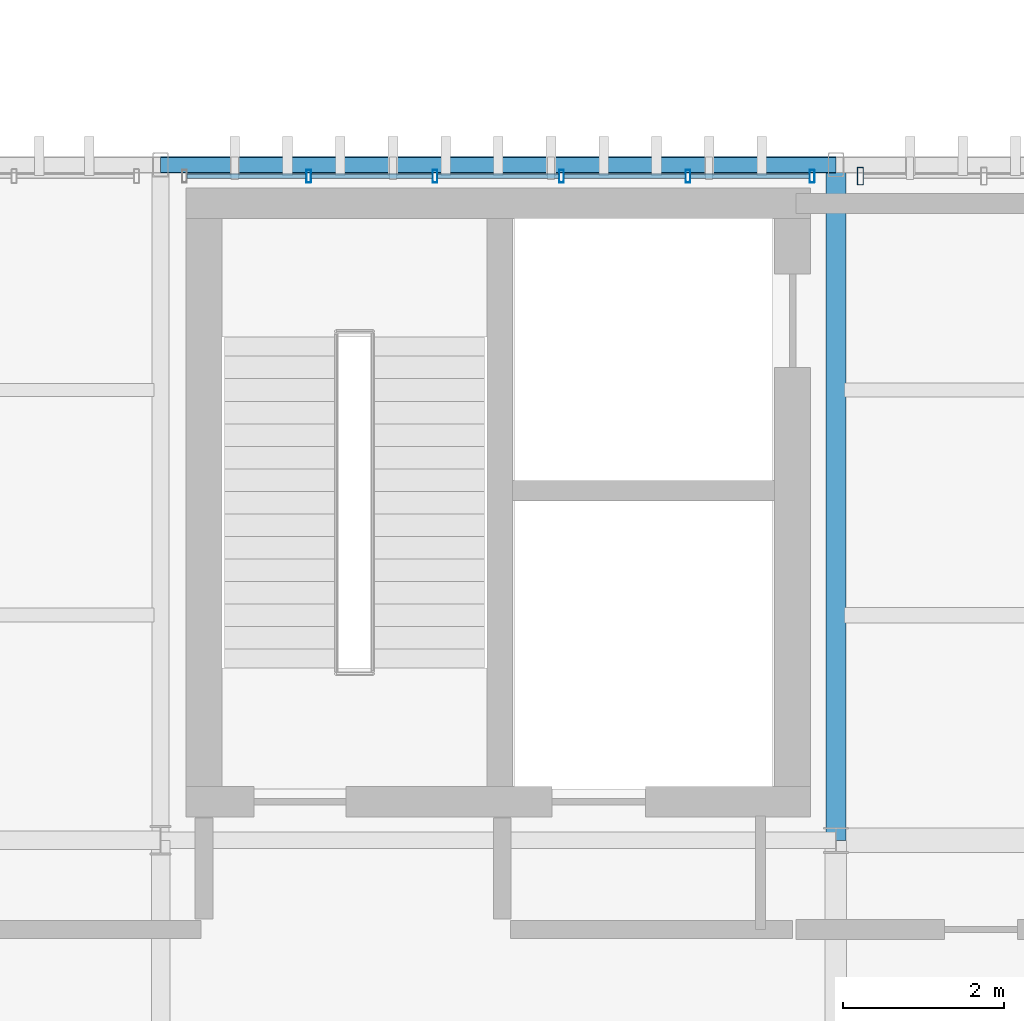
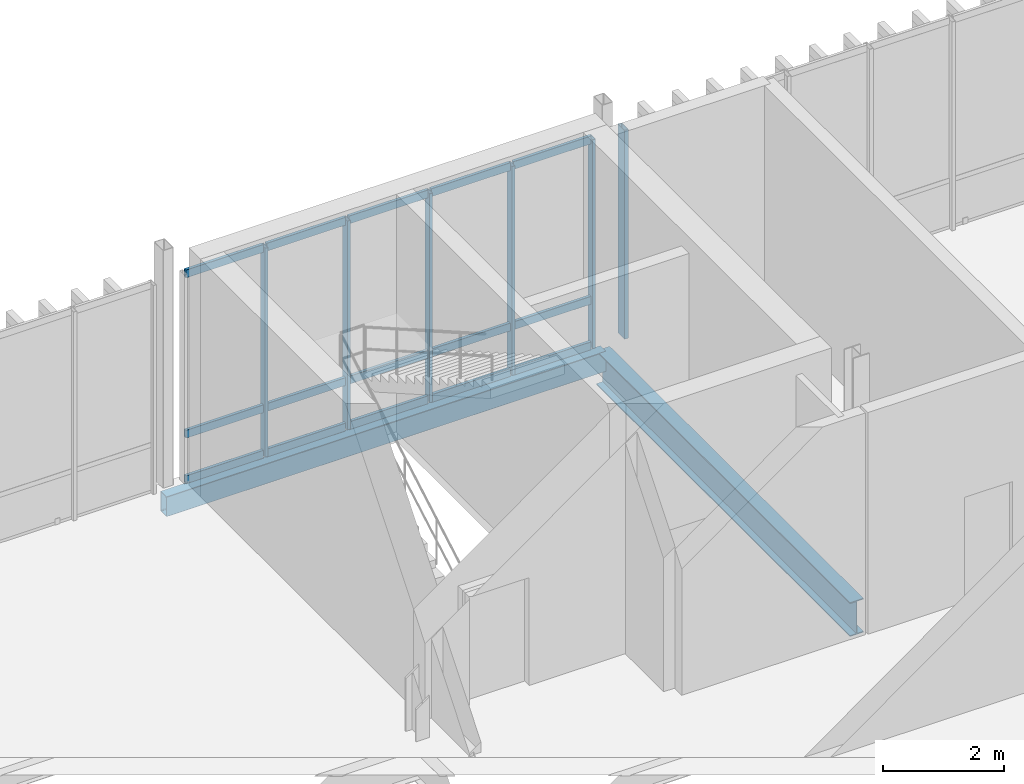
# One storey, part 23 of 94: 21 members, 2 beams, 2 elements without a shape of their own.
"""IFC4 building model written with IfcOpenShell, lengths in metres."""

from ifc_helpers import new_model, si_unit, direction, frame, origin_with_axes, origin_2d_with_axis, place, context, subcontext, project, spatial, hollow_rectangle, i_section, extrude, material, material_profile, profile_set, type_object, element, aggregate, save


model = new_model("IFC4")

# Units and contexts
model_context = context("Model", 3, precision=1e-05, world=origin_with_axes(), true_north=direction((0.0, 1.0)))
body_context = subcontext(model_context, "Body", "Model", "MODEL_VIEW")
ifc_project = project(units=[si_unit("LENGTHUNIT", "METRE"), si_unit("AREAUNIT", "SQUARE_METRE"), si_unit("VOLUMEUNIT", "CUBIC_METRE"), si_unit("PLANEANGLEUNIT", "RADIAN"), si_unit("MASSUNIT", "GRAM", prefix="KILO"), si_unit("THERMODYNAMICTEMPERATUREUNIT", "KELVIN")], contexts=[model_context])

# Site, building, storey
site_placement = place(None, origin_with_axes())
site = spatial("IfcSite", under=ifc_project, at=site_placement, CompositionType="ELEMENT")
building_placement = place(site_placement, origin_with_axes())
building = spatial("IfcBuilding", under=site, at=building_placement, Name="Montbau Bow Law Courts", CompositionType="ELEMENT")
storey_placement = place(building_placement, frame((0.0, 0.0, 15.6), z_axis=(0.0, 0.0, 1.0), x_axis=(1.0, 0.0, 0.0)))
storey = spatial("IfcBuildingStorey", under=building, at=storey_placement, Name="L03", CompositionType="ELEMENT", Elevation=15.6)

# Beams
ifc_material_1 = material(Name="Steel CSA G40.21 Grade 350W (350 MPa)", Category="steel")
ifc_material_profile_1 = material_profile(ifc_material_1, i_section(OverallWidth=0.254, OverallDepth=0.688, WebThickness=0.0131, FlangeThickness=0.0211, at=origin_2d_with_axis()), Name="W690X152", Category="Main", Priority=0)
ifc_profile_set_1 = profile_set([ifc_material_profile_1], Name="Steel CSA G40.21 Grade 350W (350 MPa)")
beam_type_1 = type_object("IfcBeamType", Name="B-FLR-04", PredefinedType="BEAM", material=ifc_profile_set_1)
beam_1_placement = place(None, frame((22.2, 46.2, 15.016), z_axis=(0.0, 1.0, 0.0), x_axis=(-1.0, 0.0, 0.0)))
element("IfcBeam", 1, at=beam_1_placement, inside=storey, type_object=beam_type_1, Name="BM-L03-S0608:bm2_0611", PredefinedType="BEAM", context=body_context, shape_type="SweptSolid", body=[
    extrude(i_section(OverallWidth=0.254, OverallDepth=0.688, WebThickness=0.0131, FlangeThickness=0.0211, at=origin_2d_with_axis()), origin_with_axes(), (0.0, 0.0, 1.0), 8.4),
])
ifc_material_2 = material(Name="Steel CSA G40.21 Grade 350WT (350 MPa)", Category="steel")
ifc_material_profile_2 = material_profile(ifc_material_2, hollow_rectangle(XDim=0.203, YDim=0.406, WallThickness=0.0127, InnerFilletRadius=0.0254, OuterFilletRadius=0.0127, at=origin_2d_with_axis()), Name="HSS406X203X13", Category="Main", Priority=0)
ifc_profile_set_2 = profile_set([ifc_material_profile_2], Name="Steel CSA G40.21 Grade 350WT (350 MPa)")
beam_type_2 = type_object("IfcBeamType", Name="B-SPN-01", PredefinedType="SPANDREL", material=ifc_profile_set_2)
beam_2_placement = place(None, frame((13.8, 54.6, 15.157), z_axis=(1.0, 0.0, 0.0), x_axis=(0.0, 1.0, 0.0)))
element("IfcBeam", 2, at=beam_2_placement, inside=storey, type_object=beam_type_2, Name="SPN-L03-S0597:bm2_0600", PredefinedType="SPANDREL", context=body_context, shape_type="SweptSolid", body=[
    extrude(hollow_rectangle(XDim=0.203, YDim=0.406, WallThickness=0.0127, InnerFilletRadius=0.0254, OuterFilletRadius=0.0127, at=origin_2d_with_axis()), origin_with_axes(), (0.0, 0.0, 1.0), 8.4),
])

# Curtain wall, member
ifc_material_3 = material(Name="Thermally Broken Extruded Aluminium AA 6063-T6", Category="aluminium")
curtain_wall_type = type_object("IfcCurtainWallType", Name="CW-TRC-01", PredefinedType="NOTDEFINED", material=ifc_material_3)
curtain_wall_1_placement = place(None, frame((22.467, 54.46, 15.6), z_axis=(0.0, 0.0, 1.0), x_axis=(1.0, 0.0, 0.0)))
curtain_wall_1 = element("IfcCurtainWall", 3, at=curtain_wall_1_placement, inside=storey, type_object=curtain_wall_type, Name="CW-L03-057:cw_0057", PredefinedType="NOTDEFINED")
ifc_material_profile_3 = material_profile(ifc_material_3, hollow_rectangle(XDim=0.075, YDim=0.22, WallThickness=0.005, InnerFilletRadius=0.01, OuterFilletRadius=0.005, at=origin_2d_with_axis()), Name="CWM-220X75", Category="Main", Priority=0)
ifc_profile_set_3 = profile_set([ifc_material_profile_3], Name="Thermally Broken Extruded Aluminium AA 6063-T6")
member_type_1 = type_object("IfcMemberType", Name="M-MUL-01", PredefinedType="MULLION", material=ifc_profile_set_3)
member_1_placement = place(None, frame((22.504, 54.46, 15.6), z_axis=(0.0, 0.0, 1.0), x_axis=(1.0, 0.0, 0.0)))
member_1 = element("IfcMember", 4, at=member_1_placement, type_object=member_type_1, Name="CW-L03-057-M01:cw_0057_M01", PredefinedType="MULLION", context=body_context, shape_type="SweptSolid", body=[
    extrude(hollow_rectangle(XDim=0.075, YDim=0.22, WallThickness=0.005, InnerFilletRadius=0.01, OuterFilletRadius=0.005, at=origin_2d_with_axis()), origin_with_axes(), (0.0, 0.0, 1.0), 4.22),
])
aggregate(curtain_wall_1, [member_1])

# Curtain wall, members
curtain_wall_2_placement = place(None, frame((14.068, 54.46, 15.6), z_axis=(0.0, 0.0, 1.0), x_axis=(1.0, 0.0, 0.0)))
curtain_wall_2 = element("IfcCurtainWall", 5, at=curtain_wall_2_placement, inside=storey, type_object=curtain_wall_type, Name="CW-L03-056:cw_0056", PredefinedType="NOTDEFINED")
ifc_material_profile_4 = material_profile(ifc_material_3, hollow_rectangle(XDim=0.06, YDim=0.16, WallThickness=0.004, InnerFilletRadius=0.008, OuterFilletRadius=0.004, at=origin_2d_with_axis()), Name="CWM-160X60", Category="Main", Priority=0)
ifc_profile_set_4 = profile_set([ifc_material_profile_4], Name="Thermally Broken Extruded Aluminium AA 6063-T6")
member_type_2 = type_object("IfcMemberType", Name="M-MUL-03", PredefinedType="MULLION", material=ifc_profile_set_4)
member_2_placement = place(None, frame((15.641, 54.46, 15.6), z_axis=(0.0, 0.0, 1.0), x_axis=(1.0, 0.0, 0.0)))
member_2 = element("IfcMember", 6, at=member_2_placement, type_object=member_type_2, Name="CW-L03-056-M02:cw_0056_M02", PredefinedType="MULLION", context=body_context, shape_type="SweptSolid", body=[
    extrude(hollow_rectangle(XDim=0.06, YDim=0.16, WallThickness=0.004, InnerFilletRadius=0.008, OuterFilletRadius=0.004, at=origin_2d_with_axis()), origin_with_axes(), (0.0, 0.0, 1.0), 4.22),
])
member_3_placement = place(None, frame((17.214, 54.46, 15.6), z_axis=(0.0, 0.0, 1.0), x_axis=(1.0, 0.0, 0.0)))
member_3 = element("IfcMember", 7, at=member_3_placement, type_object=member_type_2, Name="CW-L03-056-M03:cw_0056_M03", PredefinedType="MULLION", context=body_context, shape_type="SweptSolid", body=[
    extrude(hollow_rectangle(XDim=0.06, YDim=0.16, WallThickness=0.004, InnerFilletRadius=0.008, OuterFilletRadius=0.004, at=origin_2d_with_axis()), origin_with_axes(), (0.0, 0.0, 1.0), 4.22),
])
member_4_placement = place(None, frame((18.787, 54.46, 15.6), z_axis=(0.0, 0.0, 1.0), x_axis=(1.0, 0.0, 0.0)))
member_4 = element("IfcMember", 8, at=member_4_placement, type_object=member_type_2, Name="CW-L03-056-M04:cw_0056_M04", PredefinedType="MULLION", context=body_context, shape_type="SweptSolid", body=[
    extrude(hollow_rectangle(XDim=0.06, YDim=0.16, WallThickness=0.004, InnerFilletRadius=0.008, OuterFilletRadius=0.004, at=origin_2d_with_axis()), origin_with_axes(), (0.0, 0.0, 1.0), 4.22),
])
member_5_placement = place(None, frame((20.36, 54.46, 15.6), z_axis=(0.0, 0.0, 1.0), x_axis=(1.0, 0.0, 0.0)))
member_5 = element("IfcMember", 9, at=member_5_placement, type_object=member_type_2, Name="CW-L03-056-M05:cw_0056_M05", PredefinedType="MULLION", context=body_context, shape_type="SweptSolid", body=[
    extrude(hollow_rectangle(XDim=0.06, YDim=0.16, WallThickness=0.004, InnerFilletRadius=0.008, OuterFilletRadius=0.004, at=origin_2d_with_axis()), origin_with_axes(), (0.0, 0.0, 1.0), 4.22),
])
member_6_placement = place(None, frame((21.903, 54.46, 15.6), z_axis=(0.0, 0.0, 1.0), x_axis=(1.0, 0.0, 0.0)))
member_6 = element("IfcMember", 10, at=member_6_placement, type_object=member_type_2, Name="CW-L03-056-M06:cw_0056_M06", PredefinedType="MULLION", context=body_context, shape_type="SweptSolid", body=[
    extrude(hollow_rectangle(XDim=0.06, YDim=0.16, WallThickness=0.004, InnerFilletRadius=0.008, OuterFilletRadius=0.004, at=origin_2d_with_axis()), origin_with_axes(), (0.0, 0.0, 1.0), 4.22),
])
ifc_material_profile_5 = material_profile(ifc_material_3, hollow_rectangle(XDim=0.06, YDim=0.16, WallThickness=0.004, InnerFilletRadius=0.008, OuterFilletRadius=0.004, at=origin_2d_with_axis()), Name="CWT-160X60", Category="Main", Priority=0)
ifc_profile_set_5 = profile_set([ifc_material_profile_5], Name="Thermally Broken Extruded Aluminium AA 6063-T6")
member_type_3 = type_object("IfcMemberType", Name="M-TRN-01", PredefinedType="USERDEFINED", material=ifc_profile_set_5)
member_7_placement = place(None, frame((14.13, 54.46, 15.63), z_axis=(1.0, 0.0, 0.0), x_axis=(0.0, 1.0, 0.0)))
member_7 = element("IfcMember", 11, at=member_7_placement, type_object=member_type_3, Name="CW-L03-056-T01-1:cw_0056_T01_1", ObjectType="TRANSOM", PredefinedType="USERDEFINED", context=body_context, shape_type="SweptSolid", body=[
    extrude(hollow_rectangle(XDim=0.06, YDim=0.16, WallThickness=0.004, InnerFilletRadius=0.008, OuterFilletRadius=0.004, at=origin_2d_with_axis()), origin_with_axes(), (0.0, 0.0, 1.0), 1.479),
])
member_8_placement = place(None, frame((14.13, 54.46, 16.55), z_axis=(1.0, 0.0, 0.0), x_axis=(0.0, 1.0, 0.0)))
member_8 = element("IfcMember", 12, at=member_8_placement, type_object=member_type_3, Name="CW-L03-056-T01-2:cw_0056_T01_2", ObjectType="TRANSOM", PredefinedType="USERDEFINED", context=body_context, shape_type="SweptSolid", body=[
    extrude(hollow_rectangle(XDim=0.06, YDim=0.16, WallThickness=0.004, InnerFilletRadius=0.008, OuterFilletRadius=0.004, at=origin_2d_with_axis()), origin_with_axes(), (0.0, 0.0, 1.0), 1.479),
])
member_9_placement = place(None, frame((14.13, 54.46, 19.79), z_axis=(1.0, 0.0, 0.0), x_axis=(0.0, 1.0, 0.0)))
member_9 = element("IfcMember", 13, at=member_9_placement, type_object=member_type_3, Name="CW-L03-056-T01-3:cw_0056_T01_3", ObjectType="TRANSOM", PredefinedType="USERDEFINED", context=body_context, shape_type="SweptSolid", body=[
    extrude(hollow_rectangle(XDim=0.06, YDim=0.16, WallThickness=0.004, InnerFilletRadius=0.008, OuterFilletRadius=0.004, at=origin_2d_with_axis()), origin_with_axes(), (0.0, 0.0, 1.0), 1.479),
])
member_10_placement = place(None, frame((15.673, 54.46, 15.63), z_axis=(1.0, 0.0, 0.0), x_axis=(0.0, 1.0, 0.0)))
member_10 = element("IfcMember", 14, at=member_10_placement, type_object=member_type_3, Name="CW-L03-056-T02-1:cw_0056_T02_1", ObjectType="TRANSOM", PredefinedType="USERDEFINED", context=body_context, shape_type="SweptSolid", body=[
    extrude(hollow_rectangle(XDim=0.06, YDim=0.16, WallThickness=0.004, InnerFilletRadius=0.008, OuterFilletRadius=0.004, at=origin_2d_with_axis()), origin_with_axes(), (0.0, 0.0, 1.0), 1.509),
])
member_11_placement = place(None, frame((15.673, 54.46, 16.55), z_axis=(1.0, 0.0, 0.0), x_axis=(0.0, 1.0, 0.0)))
member_11 = element("IfcMember", 15, at=member_11_placement, type_object=member_type_3, Name="CW-L03-056-T02-2:cw_0056_T02_2", ObjectType="TRANSOM", PredefinedType="USERDEFINED", context=body_context, shape_type="SweptSolid", body=[
    extrude(hollow_rectangle(XDim=0.06, YDim=0.16, WallThickness=0.004, InnerFilletRadius=0.008, OuterFilletRadius=0.004, at=origin_2d_with_axis()), origin_with_axes(), (0.0, 0.0, 1.0), 1.509),
])
member_12_placement = place(None, frame((15.673, 54.46, 19.79), z_axis=(1.0, 0.0, 0.0), x_axis=(0.0, 1.0, 0.0)))
member_12 = element("IfcMember", 16, at=member_12_placement, type_object=member_type_3, Name="CW-L03-056-T02-3:cw_0056_T02_3", ObjectType="TRANSOM", PredefinedType="USERDEFINED", context=body_context, shape_type="SweptSolid", body=[
    extrude(hollow_rectangle(XDim=0.06, YDim=0.16, WallThickness=0.004, InnerFilletRadius=0.008, OuterFilletRadius=0.004, at=origin_2d_with_axis()), origin_with_axes(), (0.0, 0.0, 1.0), 1.509),
])
member_13_placement = place(None, frame((17.246, 54.46, 15.63), z_axis=(1.0, 0.0, 0.0), x_axis=(0.0, 1.0, 0.0)))
member_13 = element("IfcMember", 17, at=member_13_placement, type_object=member_type_3, Name="CW-L03-056-T03-1:cw_0056_T03_1", ObjectType="TRANSOM", PredefinedType="USERDEFINED", context=body_context, shape_type="SweptSolid", body=[
    extrude(hollow_rectangle(XDim=0.06, YDim=0.16, WallThickness=0.004, InnerFilletRadius=0.008, OuterFilletRadius=0.004, at=origin_2d_with_axis()), origin_with_axes(), (0.0, 0.0, 1.0), 1.509),
])
member_14_placement = place(None, frame((17.246, 54.46, 16.55), z_axis=(1.0, 0.0, 0.0), x_axis=(0.0, 1.0, 0.0)))
member_14 = element("IfcMember", 18, at=member_14_placement, type_object=member_type_3, Name="CW-L03-056-T03-2:cw_0056_T03_2", ObjectType="TRANSOM", PredefinedType="USERDEFINED", context=body_context, shape_type="SweptSolid", body=[
    extrude(hollow_rectangle(XDim=0.06, YDim=0.16, WallThickness=0.004, InnerFilletRadius=0.008, OuterFilletRadius=0.004, at=origin_2d_with_axis()), origin_with_axes(), (0.0, 0.0, 1.0), 1.509),
])
member_15_placement = place(None, frame((17.246, 54.46, 19.79), z_axis=(1.0, 0.0, 0.0), x_axis=(0.0, 1.0, 0.0)))
member_15 = element("IfcMember", 19, at=member_15_placement, type_object=member_type_3, Name="CW-L03-056-T03-3:cw_0056_T03_3", ObjectType="TRANSOM", PredefinedType="USERDEFINED", context=body_context, shape_type="SweptSolid", body=[
    extrude(hollow_rectangle(XDim=0.06, YDim=0.16, WallThickness=0.004, InnerFilletRadius=0.008, OuterFilletRadius=0.004, at=origin_2d_with_axis()), origin_with_axes(), (0.0, 0.0, 1.0), 1.509),
])
member_16_placement = place(None, frame((18.819, 54.46, 15.63), z_axis=(1.0, 0.0, 0.0), x_axis=(0.0, 1.0, 0.0)))
member_16 = element("IfcMember", 20, at=member_16_placement, type_object=member_type_3, Name="CW-L03-056-T04-1:cw_0056_T04_1", ObjectType="TRANSOM", PredefinedType="USERDEFINED", context=body_context, shape_type="SweptSolid", body=[
    extrude(hollow_rectangle(XDim=0.06, YDim=0.16, WallThickness=0.004, InnerFilletRadius=0.008, OuterFilletRadius=0.004, at=origin_2d_with_axis()), origin_with_axes(), (0.0, 0.0, 1.0), 1.509),
])
member_17_placement = place(None, frame((18.819, 54.46, 16.55), z_axis=(1.0, 0.0, 0.0), x_axis=(0.0, 1.0, 0.0)))
member_17 = element("IfcMember", 21, at=member_17_placement, type_object=member_type_3, Name="CW-L03-056-T04-2:cw_0056_T04_2", ObjectType="TRANSOM", PredefinedType="USERDEFINED", context=body_context, shape_type="SweptSolid", body=[
    extrude(hollow_rectangle(XDim=0.06, YDim=0.16, WallThickness=0.004, InnerFilletRadius=0.008, OuterFilletRadius=0.004, at=origin_2d_with_axis()), origin_with_axes(), (0.0, 0.0, 1.0), 1.509),
])
member_18_placement = place(None, frame((18.819, 54.46, 19.79), z_axis=(1.0, 0.0, 0.0), x_axis=(0.0, 1.0, 0.0)))
member_18 = element("IfcMember", 22, at=member_18_placement, type_object=member_type_3, Name="CW-L03-056-T04-3:cw_0056_T04_3", ObjectType="TRANSOM", PredefinedType="USERDEFINED", context=body_context, shape_type="SweptSolid", body=[
    extrude(hollow_rectangle(XDim=0.06, YDim=0.16, WallThickness=0.004, InnerFilletRadius=0.008, OuterFilletRadius=0.004, at=origin_2d_with_axis()), origin_with_axes(), (0.0, 0.0, 1.0), 1.509),
])
member_19_placement = place(None, frame((20.392, 54.46, 15.63), z_axis=(1.0, 0.0, 0.0), x_axis=(0.0, 1.0, 0.0)))
member_19 = element("IfcMember", 23, at=member_19_placement, type_object=member_type_3, Name="CW-L03-056-T05-1:cw_0056_T05_1", ObjectType="TRANSOM", PredefinedType="USERDEFINED", context=body_context, shape_type="SweptSolid", body=[
    extrude(hollow_rectangle(XDim=0.06, YDim=0.16, WallThickness=0.004, InnerFilletRadius=0.008, OuterFilletRadius=0.004, at=origin_2d_with_axis()), origin_with_axes(), (0.0, 0.0, 1.0), 1.479),
])
member_20_placement = place(None, frame((20.392, 54.46, 16.55), z_axis=(1.0, 0.0, 0.0), x_axis=(0.0, 1.0, 0.0)))
member_20 = element("IfcMember", 24, at=member_20_placement, type_object=member_type_3, Name="CW-L03-056-T05-2:cw_0056_T05_2", ObjectType="TRANSOM", PredefinedType="USERDEFINED", context=body_context, shape_type="SweptSolid", body=[
    extrude(hollow_rectangle(XDim=0.06, YDim=0.16, WallThickness=0.004, InnerFilletRadius=0.008, OuterFilletRadius=0.004, at=origin_2d_with_axis()), origin_with_axes(), (0.0, 0.0, 1.0), 1.479),
])
member_21_placement = place(None, frame((20.392, 54.46, 19.79), z_axis=(1.0, 0.0, 0.0), x_axis=(0.0, 1.0, 0.0)))
member_21 = element("IfcMember", 25, at=member_21_placement, type_object=member_type_3, Name="CW-L03-056-T05-3:cw_0056_T05_3", ObjectType="TRANSOM", PredefinedType="USERDEFINED", context=body_context, shape_type="SweptSolid", body=[
    extrude(hollow_rectangle(XDim=0.06, YDim=0.16, WallThickness=0.004, InnerFilletRadius=0.008, OuterFilletRadius=0.004, at=origin_2d_with_axis()), origin_with_axes(), (0.0, 0.0, 1.0), 1.479),
])
aggregate(curtain_wall_2, [member_2, member_3, member_4, member_5, member_6, member_7, member_8, member_9, member_10, member_11, member_12, member_13, member_14, member_15, member_16, member_17, member_18, member_19, member_20, member_21])

save(model, "model.ifc")
